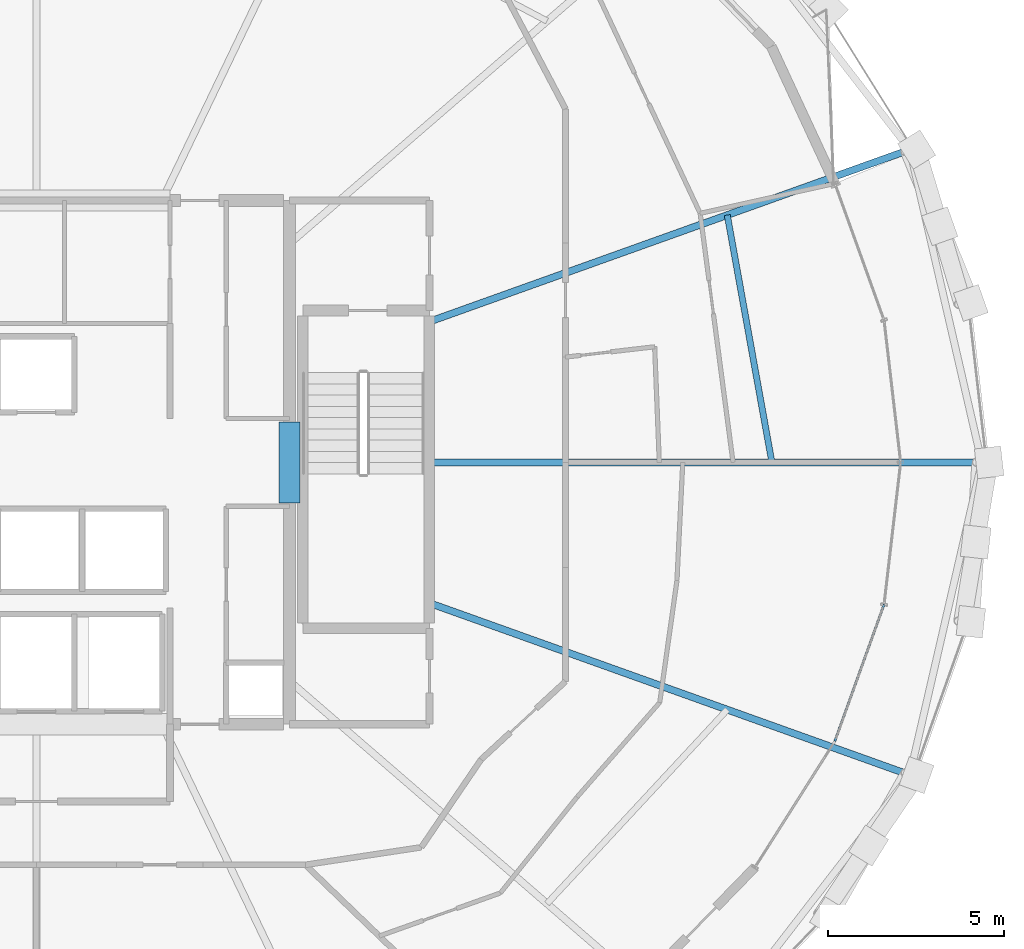
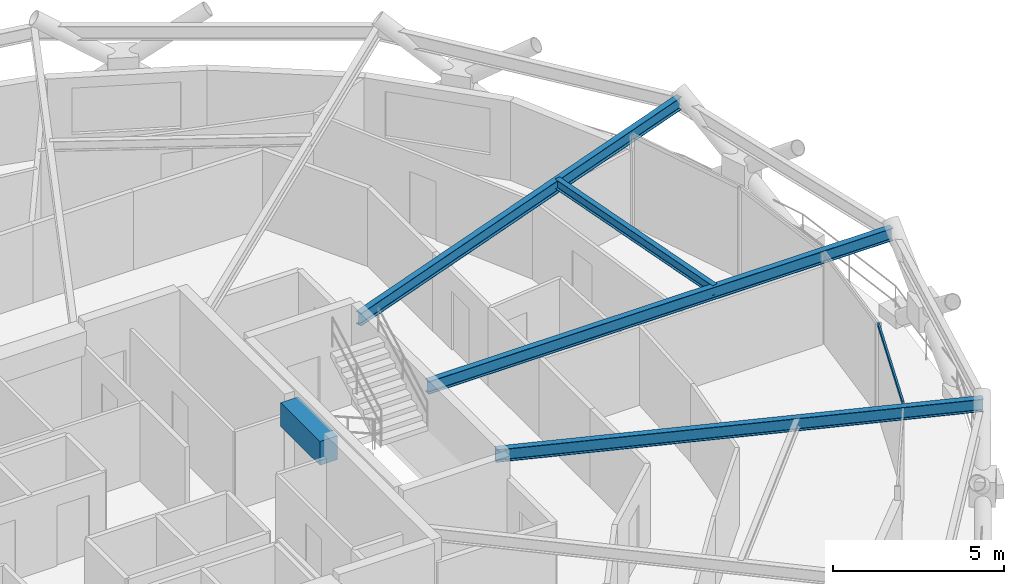
# One storey, part 7 of 16: 5 beams, 1 member, 1 element without a shape of its own.
"""IFC4 building model written with IfcOpenShell, lengths in metres."""

from ifc_helpers import new_model, si_unit, direction, frame, origin, origin_2d, place, context, subcontext, project, spatial, rectangle, hollow_rectangle, i_section, extrude, material, layer, layer_set, material_profile, profile_set, type_object, element, aggregate, save


model = new_model("IFC4")

# Units and contexts
model_context = context("Model", 3, precision=1e-05, world=origin(), true_north=direction((0.0, 1.0)))
body_context = subcontext(model_context, "Body", "Model", "MODEL_VIEW")
ifc_project = project(units=[si_unit("LENGTHUNIT", "METRE"), si_unit("AREAUNIT", "SQUARE_METRE"), si_unit("VOLUMEUNIT", "CUBIC_METRE"), si_unit("PLANEANGLEUNIT", "RADIAN"), si_unit("MASSUNIT", "GRAM", prefix="KILO")], contexts=[model_context])

# Site, building, storey
site_placement = place(None, origin())
site = spatial("IfcSite", under=ifc_project, at=site_placement, CompositionType="ELEMENT")
building_placement = place(site_placement, origin())
building = spatial("IfcBuilding", under=site, at=building_placement, Name="Veldorina Hangang Commons", CompositionType="ELEMENT")
storey_placement = place(building_placement, frame((0.0, 0.0, 189.199951171875)))
storey = spatial("IfcBuildingStorey", under=building, at=storey_placement, Name="L49", CompositionType="ELEMENT", Elevation=189.199951171875)

# Beams
ifc_material_1 = material(Name="Concrete C60/75", Category="concrete")
ifc_material_profile_1 = material_profile(ifc_material_1, rectangle(XDim=0.60009765625, YDim=0.85009765625, at=origin_2d()), Name="RC-CB-600x850")
ifc_profile_set_1 = profile_set([ifc_material_profile_1], Name="Concrete C60/75")
beam_type_1 = type_object("IfcBeamType", Name="BM-CB850", PredefinedType="LINTEL", material=ifc_profile_set_1)
beam_1_placement = place(storey_placement, frame((39.199951171875, 22.85009765625, 2.925048828125), z_axis=(0.0, 1.0, 0.0), x_axis=(-1.0, 0.0, 0.0)))
element("IfcBeam", 1, at=beam_1_placement, inside=storey, type_object=beam_type_1, Name="L49 E core coupling lintel beam", PredefinedType="LINTEL", context=body_context, shape_type="SweptSolid", body=[
    extrude(rectangle(XDim=0.60009765625, YDim=0.85009765625, at=origin_2d()), origin(), (0.0, 0.0, 1.0), 2.2998046875),
])
ifc_material_2 = material(Name="Steel SM355-TMC", Category="steel")
ifc_material_profile_2 = material_profile(ifc_material_2, i_section(OverallWidth=0.199951171875, OverallDepth=0.449951171875, WebThickness=0.009033203125, FlangeThickness=0.013916015625, FilletRadius=0.01611328125, at=origin_2d()), Name="H-450x200x9x14")
ifc_profile_set_2 = profile_set([ifc_material_profile_2], Name="Steel SM355-TMC")
beam_type_2 = type_object("IfcBeamType", Name="BM-FG450", PredefinedType="BEAM", material=ifc_profile_set_2)
beam_2_placement = place(storey_placement, frame((43.179931640625, 24.0, 3.125), z_axis=(1.0, 0.0, 0.0), x_axis=(0.0, 1.0, 0.0)))
element("IfcBeam", 2, at=beam_2_placement, inside=storey, type_object=beam_type_2, Name="L49 radial floor girder 01", PredefinedType="BEAM", context=body_context, shape_type="SweptSolid", body=[
    extrude(i_section(OverallWidth=0.199951171875, OverallDepth=0.449951171875, WebThickness=0.009033203125, FlangeThickness=0.013916015625, FilletRadius=0.01611328125, at=origin_2d()), origin(), (0.0, 0.0, 1.0), 15.7138671875),
])
for number, where, z_axis, x_axis, name in (
    (3, (43.179931640625, 28.001953125, 3.125), (0.941499278535, 0.337014997468, 0.0), (-0.337014997468, 0.941499278535, 0.0), "L49 radial floor girder 02"),
    (4, (43.179931640625, 19.998046875, 3.125), (0.941499278535, -0.337014997468, 0.0), (0.337014997468, 0.941499278535, 0.0), "L49 radial floor girder 16"),
):
    element("IfcBeam", number, at=place(storey_placement, frame(where, z_axis=z_axis, x_axis=x_axis)), inside=storey, type_object=beam_type_2, Name=name, PredefinedType="BEAM", context=body_context, shape_type="SweptSolid", body=[
        extrude(i_section(OverallWidth=0.199951171875, OverallDepth=0.449951171875, WebThickness=0.009033203125, FlangeThickness=0.013916015625, FilletRadius=0.01611328125, at=origin_2d()), origin(), (0.0, 0.0, 1.0), 14.515869140625),
    ])
ifc_material_profile_3 = material_profile(ifc_material_2, i_section(OverallWidth=0.175048828125, OverallDepth=0.35009765625, WebThickness=0.007080078125, FlangeThickness=0.010986328125, FilletRadius=0.012939453125, at=origin_2d()), Name="H-350x175x7x11")
ifc_profile_set_3 = profile_set([ifc_material_profile_3], Name="Steel SM355-TMC")
beam_type_3 = type_object("IfcBeamType", Name="BM-JST350", PredefinedType="JOIST", material=ifc_profile_set_3)
beam_3_placement = place(storey_placement, frame((52.922607421875, 24.0, 3.175048828125), z_axis=(-0.177559877972, 0.984109998798, 0.0), x_axis=(-0.984109998798, -0.177559877972, 0.0)))
element("IfcBeam", 5, at=beam_3_placement, inside=storey, type_object=beam_type_3, Name="L49 secondary floor joist 01", PredefinedType="JOIST", context=body_context, shape_type="SweptSolid", body=[
    extrude(i_section(OverallWidth=0.175048828125, OverallDepth=0.35009765625, WebThickness=0.007080078125, FlangeThickness=0.010986328125, FilletRadius=0.012939453125, at=origin_2d()), origin(), (0.0, 0.0, 1.0), 7.1484375),
])

# Curtain wall, member
ifc_material_3 = material(Name="Glass Low-E Triple IGU", Category="glass")
ifc_layer = layer(ifc_material_3, 0.179931640625)
ifc_layer_set = layer_set([ifc_layer], Name="Glass Low-E Triple IGU")
curtain_wall_type = type_object("IfcCurtainWallType", Name="CW-SYS-Z2", PredefinedType="NOTDEFINED", material=ifc_layer_set)
curtain_wall_placement = place(storey_placement, origin())
curtain_wall = element("IfcCurtainWall", 6, at=curtain_wall_placement, inside=storey, type_object=curtain_wall_type, Name="L49 unitised curtain wall CW-L49-R2", PredefinedType="NOTDEFINED")
ifc_material_4 = material(Name="Aluminium Anodized AA6063-T6", Category="aluminium")
ifc_material_profile_4 = material_profile(ifc_material_4, hollow_rectangle(XDim=0.06005859375, YDim=0.139892578125, WallThickness=0.00341796875, at=origin_2d()), Name="ALU-RHS-140x60x3.5")
ifc_profile_set_4 = profile_set([ifc_material_profile_4], Name="Aluminium Anodized AA6063-T6")
member_type = type_object("IfcMemberType", Name="CW-TRN-140", PredefinedType="USERDEFINED", material=ifc_profile_set_4)
member_placement = place(storey_placement, frame((54.712646484375, 16.06640625, 3.27001953125), z_axis=(0.338520753428, 0.940958925511, 0.0), x_axis=(-0.940958925511, 0.338520753428, 0.0)))
member = element("IfcMember", 7, at=member_placement, type_object=member_type, Name="CW-L49-R2 facet 2 transom 1", ObjectType="TRANSOM", PredefinedType="USERDEFINED", context=body_context, shape_type="SweptSolid", body=[
    extrude(hollow_rectangle(XDim=0.06005859375, YDim=0.139892578125, WallThickness=0.00341796875, at=origin_2d()), origin(), (0.0, 0.0, 1.0), 4.13330078125),
])
aggregate(curtain_wall, [member])

save(model, "model.ifc")
